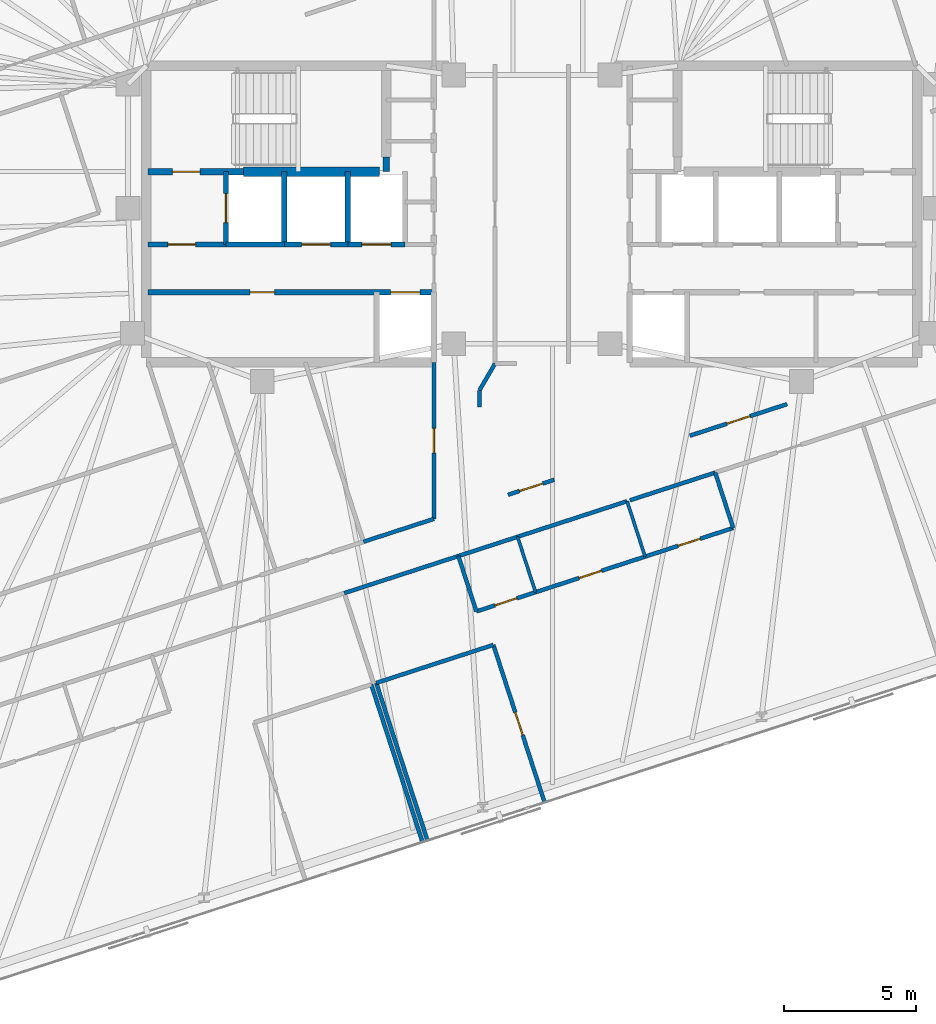
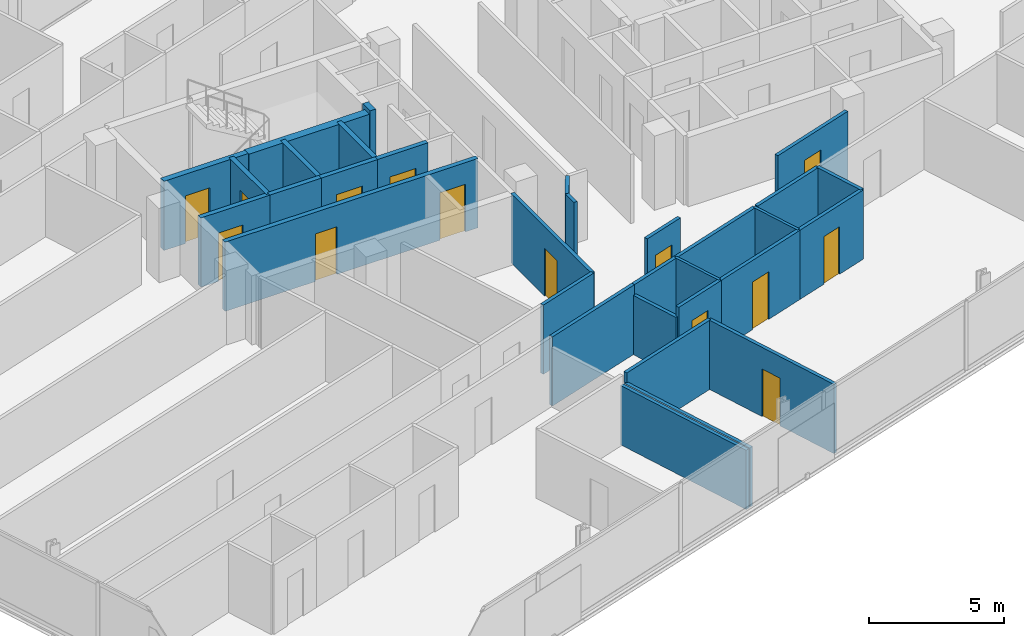
# One storey, part 14 of 20: 32 walls, 14 doors, 14 openings.
"""IFC4 building model written with IfcOpenShell, lengths in metres."""

from ifc_helpers import new_model, si_unit, direction, frame, frame_2d, origin, place, context, subcontext, project, spatial, rectangle, extrude, material, layer, layer_set, type_object, element, fill, save


model = new_model("IFC4")

# Units and contexts
model_context = context("Model", 3, precision=1e-05, world=origin(), true_north=direction((0.0, 1.0)))
body_context = subcontext(model_context, "Body", "Model", "MODEL_VIEW")
ifc_project = project(units=[si_unit("LENGTHUNIT", "METRE"), si_unit("AREAUNIT", "SQUARE_METRE"), si_unit("VOLUMEUNIT", "CUBIC_METRE"), si_unit("PLANEANGLEUNIT", "RADIAN"), si_unit("MASSUNIT", "GRAM", prefix="KILO")], contexts=[model_context])

# Site, building, storey
site_placement = place(None, origin())
site = spatial("IfcSite", under=ifc_project, at=site_placement, CompositionType="ELEMENT")
building_placement = place(site_placement, origin())
building = spatial("IfcBuilding", under=site, at=building_placement, Name="Menara Jurai Vektor", CompositionType="ELEMENT")
storey_placement = place(building_placement, frame((0.0, 0.0, 237.699951171875)))
storey = spatial("IfcBuildingStorey", under=building, at=storey_placement, Name="L63", CompositionType="ELEMENT", Elevation=237.699951171875)

# Wall, opening, door
ifc_material_1 = material(Name="Concrete C40/50", Category="concrete")
ifc_layer_1 = layer(ifc_material_1, 0.25)
ifc_layer_set_1 = layer_set([ifc_layer_1], Name="Concrete C40/50")
wall_type_1 = type_object("IfcWallType", Name="INT-WALL-CORE-250", PredefinedType="STANDARD", material=ifc_layer_set_1)
wall_1_placement = place(storey_placement, frame((-14.5, 1.60009765625, 0.0), z_axis=(0.0, 0.0, 1.0), x_axis=(1.0, 0.0, 0.0)))
wall_1 = element("IfcWall", 1, at=wall_1_placement, inside=storey, type_object=wall_type_1, Name="Interior Wall IW-250 L63", PredefinedType="STANDARD", context=body_context, shape_type="SweptSolid", body=[
    extrude(rectangle(XDim=3.60009765625, YDim=0.25, at=frame_2d((1.800048828125, 0.0))), origin(), (0.0, 0.0, 1.0), 3.125),
])
opening_1_placement = place(wall_1_placement, frame((0.919921875, 0.0, 0.0)))
opening_1 = element("IfcOpeningElement", 2, at=opening_1_placement, cuts=wall_1, Name="Opening D-L63-ST1", PredefinedType="OPENING", context=body_context, shape_type="SweptSolid", body=[
    extrude(rectangle(XDim=1.050048828125, YDim=2.14990234375, at=frame_2d((0.52490234375, 1.074951171875))), frame((0.0, 0.135009765625, 0.0), z_axis=(0.0, -1.0, 0.0), x_axis=(1.0, 0.0, 0.0)), (0.0, 0.0, 1.0), 0.27001953125),
])
ifc_material_2 = material(Name="Fire-Rated Steel Door", Category="steel")
door_type_1 = type_object("IfcDoorType", Name="DR-STAIR-1050", OperationType="NOTDEFINED", PredefinedType="DOOR", material=ifc_material_2)
door_1_placement = place(opening_1_placement, origin())
door_1 = element("IfcDoor", 3, at=door_1_placement, inside=storey, type_object=door_type_1, Name="Exit Stair ST1 Door L63", OperationType="SINGLE_SWING_RIGHT", OverallHeight=2.14990234375, OverallWidth=1.050048828125, PredefinedType="DOOR", context=body_context, shape_type="SweptSolid", body=[
    extrude(rectangle(XDim=1.050048828125, YDim=2.14990234375, at=frame_2d((0.52490234375, 1.074951171875))), frame((0.0, 0.02490234375, 0.0), z_axis=(0.0, -1.0, 0.0), x_axis=(1.0, 0.0, 0.0)), (0.0, 0.0, 1.0), 0.050048828125),
])
fill(opening_1, door_1)

# Wall
wall_2_placement = place(storey_placement, frame((-5.5, 1.60009765625, 0.0), z_axis=(0.0, 0.0, 1.0), x_axis=(0.0, 1.0, 0.0)))
element("IfcWall", 4, at=wall_2_placement, inside=storey, type_object=wall_type_1, Name="Interior Wall IW-250 L63", PredefinedType="STANDARD", context=body_context, shape_type="SweptSolid", body=[
    extrude(rectangle(XDim=0.5498046875, YDim=0.25, at=frame_2d((0.27490234375, 0.0))), origin(), (0.0, 0.0, 1.0), 3.125),
])

# Wall, opening, door
wall_3_placement = place(storey_placement, frame((-11.550048828125, -1.14990234375, 0.0), z_axis=(0.0, 0.0, 1.0), x_axis=(0.0, 1.0, 0.0)))
wall_3 = element("IfcWall", 5, at=wall_3_placement, inside=storey, type_object=wall_type_1, Name="Interior Wall IW-250 L63", PredefinedType="STANDARD", context=body_context, shape_type="SweptSolid", body=[
    extrude(rectangle(XDim=2.75, YDim=0.199951171875, at=frame_2d((1.375, 0.0))), origin(), (0.0, 0.0, 1.0), 3.125),
])
opening_2_placement = place(wall_3_placement, frame((0.824951171875, 0.0, 0.0)))
opening_2 = element("IfcOpeningElement", 6, at=opening_2_placement, cuts=wall_3, Name="Opening LD-L63-FL1", PredefinedType="OPENING", context=body_context, shape_type="SweptSolid", body=[
    extrude(rectangle(XDim=1.10009765625, YDim=2.14990234375, at=frame_2d((0.550048828125, 1.074951171875))), frame((0.0, 0.10986328125, 0.0), z_axis=(0.0, -1.0, 0.0), x_axis=(1.0, 0.0, 0.0)), (0.0, 0.0, 1.0), 0.219970703125),
])
ifc_material_3 = material(Name="Stainless Steel Sliding Lift Landing Door", Category="steel")
door_type_2 = type_object("IfcDoorType", Name="DR-LIFT-FIRE-1100", OperationType="NOTDEFINED", PredefinedType="DOOR", material=ifc_material_3)
door_2_placement = place(opening_2_placement, origin())
door_2 = element("IfcDoor", 7, at=door_2_placement, inside=storey, type_object=door_type_2, Name="Lift Landing Door FL1 L63", OperationType="SLIDING_TO_RIGHT", OverallHeight=2.14990234375, OverallWidth=1.10009765625, PredefinedType="DOOR", context=body_context, shape_type="SweptSolid", body=[
    extrude(rectangle(XDim=1.10009765625, YDim=2.14990234375, at=frame_2d((0.550048828125, 1.074951171875))), frame((0.0, 0.02490234375, 0.0), z_axis=(0.0, -1.0, 0.0), x_axis=(1.0, 0.0, 0.0)), (0.0, 0.0, 1.0), 0.050048828125),
])
fill(opening_2, door_2)

# Wall
wall_4_placement = place(storey_placement, frame((-9.35009765625, -1.14990234375, 0.0), z_axis=(0.0, 0.0, 1.0), x_axis=(0.0, 1.0, 0.0)))
element("IfcWall", 8, at=wall_4_placement, inside=storey, type_object=wall_type_1, Name="Interior Wall IW-250 L63", PredefinedType="STANDARD", context=body_context, shape_type="SweptSolid", body=[
    extrude(rectangle(XDim=2.75, YDim=0.199951171875, at=frame_2d((1.375, 0.0))), origin(), (0.0, 0.0, 1.0), 3.125),
])

# Wall, opening, door
wall_5_placement = place(storey_placement, frame((-14.5, -1.14990234375, 0.0), z_axis=(0.0, 0.0, 1.0), x_axis=(1.0, 0.0, 0.0)))
wall_5 = element("IfcWall", 9, at=wall_5_placement, inside=storey, type_object=wall_type_1, Name="Interior Wall IW-250 L63", PredefinedType="STANDARD", context=body_context, shape_type="SweptSolid", body=[
    extrude(rectangle(XDim=2.949951171875, YDim=0.199951171875, at=frame_2d((1.47509765625, 0.0))), origin(), (0.0, 0.0, 1.0), 3.125),
])
opening_3_placement = place(wall_5_placement, frame((0.75, 0.0, 0.0)))
opening_3 = element("IfcOpeningElement", 10, at=opening_3_placement, cuts=wall_5, Name="Opening D-L63-FFW", PredefinedType="OPENING", context=body_context, shape_type="SweptSolid", body=[
    extrude(rectangle(XDim=1.050048828125, YDim=2.179931640625, at=frame_2d((0.52490234375, 1.08984375))), frame((0.0, 0.10986328125, 0.0), z_axis=(0.0, -1.0, 0.0), x_axis=(1.0, 0.0, 0.0)), (0.0, 0.0, 1.0), 0.219970703125),
])
ifc_material_4 = material(Name="Fire-Rated Timber Door", Category="wood")
door_type_3 = type_object("IfcDoorType", Name="DR-LOBBY-1050", OperationType="NOTDEFINED", PredefinedType="DOOR", material=ifc_material_4)
door_3_placement = place(opening_3_placement, origin())
door_3 = element("IfcDoor", 11, at=door_3_placement, inside=storey, type_object=door_type_3, Name="Fire Lift Lobby Door W L63", OperationType="SINGLE_SWING_RIGHT", OverallHeight=2.179931640625, OverallWidth=1.050048828125, PredefinedType="DOOR", context=body_context, shape_type="SweptSolid", body=[
    extrude(rectangle(XDim=1.050048828125, YDim=2.179931640625, at=frame_2d((0.52490234375, 1.08984375))), frame((0.0, 0.02490234375, 0.0), z_axis=(0.0, -1.0, 0.0), x_axis=(1.0, 0.0, 0.0)), (0.0, 0.0, 1.0), 0.050048828125),
])
fill(opening_3, door_3)

# Walls
wall_6_placement = place(storey_placement, frame((-11.550048828125, -1.14990234375, 0.0), z_axis=(0.0, 0.0, 1.0), x_axis=(1.0, 0.0, 0.0)))
element("IfcWall", 12, at=wall_6_placement, inside=storey, type_object=wall_type_1, Name="Interior Wall IW-250 L63", PredefinedType="STANDARD", context=body_context, shape_type="SweptSolid", body=[
    extrude(rectangle(XDim=2.199951171875, YDim=0.199951171875, at=frame_2d((1.10009765625, 0.0))), origin(), (0.0, 0.0, 1.0), 3.125),
])
ifc_material_5 = material(Name="Gypsum Fireboard Partition", Category="gypsum")
ifc_layer_2 = layer(ifc_material_5, 0.14990234375)
ifc_layer_set_2 = layer_set([ifc_layer_2], Name="Gypsum Fireboard Partition")
wall_type_2 = type_object("IfcWallType", Name="INT-WALL-CORR-150", PredefinedType="PARTITIONING", material=ifc_layer_set_2)
wall_7_placement = place(storey_placement, frame((-7.083251953125, -14.31640625, 0.0), z_axis=(0.0, 0.0, 1.0), x_axis=(0.951054265246, 0.309023922305, 0.0)))
element("IfcWall", 13, at=wall_7_placement, inside=storey, type_object=wall_type_2, Name="Interior Wall IW-150 L63", PredefinedType="PARTITIONING", context=body_context, shape_type="SweptSolid", body=[
    extrude(rectangle(XDim=4.530029296875, YDim=0.14990234375, at=frame_2d((2.26513671875, 0.0))), origin(), (0.0, 0.0, 1.0), 3.125),
])
wall_8_placement = place(storey_placement, frame((-2.77490234375, -12.91650390625, 0.0), z_axis=(0.0, 0.0, 1.0), x_axis=(0.951066131077, 0.308987401554, 0.0)))
element("IfcWall", 14, at=wall_8_placement, inside=storey, type_object=wall_type_2, Name="Interior Wall IW-150 L63", PredefinedType="PARTITIONING", context=body_context, shape_type="SweptSolid", body=[
    extrude(rectangle(XDim=2.349853515625, YDim=0.14990234375, at=frame_2d((1.1748046875, 0.0))), origin(), (0.0, 0.0, 1.0), 3.125),
])
wall_9_placement = place(storey_placement, frame((-0.5400390625, -12.1904296875, 0.0), z_axis=(0.0, 0.0, 1.0), x_axis=(0.951057987102, 0.309012467661, 0.0)))
element("IfcWall", 15, at=wall_9_placement, inside=storey, type_object=wall_type_2, Name="Interior Wall IW-150 L63", PredefinedType="PARTITIONING", context=body_context, shape_type="SweptSolid", body=[
    extrude(rectangle(XDim=4.35009765625, YDim=0.14990234375, at=frame_2d((2.175048828125, 0.0))), origin(), (0.0, 0.0, 1.0), 3.125),
])
wall_10_placement = place(storey_placement, frame((3.69970703125, -10.812744140625, 0.0), z_axis=(0.0, 0.0, 1.0), x_axis=(0.95106685659, 0.308985168408, 0.0)))
element("IfcWall", 16, at=wall_10_placement, inside=storey, type_object=wall_type_2, Name="Interior Wall IW-150 L63", PredefinedType="PARTITIONING", context=body_context, shape_type="SweptSolid", body=[
    extrude(rectangle(XDim=3.39208984375, YDim=0.14990234375, at=frame_2d((1.696044921875, 0.0))), origin(), (0.0, 0.0, 1.0), 3.125),
])

# Wall, opening, door
wall_11_placement = place(storey_placement, frame((5.96875, -8.372314453125, 0.0), z_axis=(0.0, 0.0, 1.0), x_axis=(0.951053123415, 0.309027436391, 0.0)))
wall_11 = element("IfcWall", 17, at=wall_11_placement, inside=storey, type_object=wall_type_2, Name="Interior Wall IW-150 L63", PredefinedType="PARTITIONING", context=body_context, shape_type="SweptSolid", body=[
    extrude(rectangle(XDim=3.860107421875, YDim=0.14990234375, at=frame_2d((1.93017578125, 0.0))), origin(), (0.0, 0.0, 1.0), 3.125),
])
opening_4_placement = place(wall_11_placement, frame((1.469970703125, 0.0, 0.0)))
opening_4 = element("IfcOpeningElement", 18, at=opening_4_placement, cuts=wall_11, Name="Opening D63-44", PredefinedType="OPENING", context=body_context, shape_type="SweptSolid", body=[
    extrude(rectangle(XDim=0.919921875, YDim=2.14990234375, at=frame_2d((0.4599609375, 1.074951171875))), frame((0.0, 0.0849609375, 0.0), z_axis=(0.0, -1.0, 0.0), x_axis=(1.0, 0.0, 0.0)), (0.0, 0.0, 1.0), 0.169921875),
])
ifc_material_6 = material(Name="Solid Core Timber Fire Door", Category="wood")
door_type_4 = type_object("IfcDoorType", Name="DR-ENTRY-950", OperationType="NOTDEFINED", PredefinedType="DOOR", material=ifc_material_6)
door_4_placement = place(opening_4_placement, origin())
door_4 = element("IfcDoor", 19, at=door_4_placement, inside=storey, type_object=door_type_4, Name="Interior Door D63-44", OperationType="SINGLE_SWING_RIGHT", OverallHeight=2.14990234375, OverallWidth=0.919921875, PredefinedType="DOOR", context=body_context, shape_type="SweptSolid", body=[
    extrude(rectangle(XDim=0.919921875, YDim=2.14990234375, at=frame_2d((0.4599609375, 1.074951171875))), frame((0.0, 0.02490234375, 0.0), z_axis=(0.0, -1.0, 0.0), x_axis=(1.0, 0.0, 0.0)), (0.0, 0.0, 1.0), 0.050048828125),
])
fill(opening_4, door_4)

wall_12_placement = place(storey_placement, frame((-0.90087890625, -10.604248046875, 0.0), z_axis=(0.0, 0.0, 1.0), x_axis=(0.951085784807, 0.308926900637, 0.0)))
wall_12 = element("IfcWall", 20, at=wall_12_placement, inside=storey, type_object=wall_type_2, Name="Interior Wall IW-150 L63", PredefinedType="PARTITIONING", context=body_context, shape_type="SweptSolid", body=[
    extrude(rectangle(XDim=1.838134765625, YDim=0.14990234375, at=frame_2d((0.9189453125, 0.0))), origin(), (0.0, 0.0, 1.0), 3.125),
])
opening_5_placement = place(wall_12_placement, frame((0.458984375, 0.0, 0.0)))
opening_5 = element("IfcOpeningElement", 21, at=opening_5_placement, cuts=wall_12, Name="Opening D63-45", PredefinedType="OPENING", context=body_context, shape_type="SweptSolid", body=[
    extrude(rectangle(XDim=0.919921875, YDim=2.14990234375, at=frame_2d((0.4599609375, 1.074951171875))), frame((0.0, 0.0849609375, 0.0), z_axis=(0.0, -1.0, 0.0), x_axis=(1.0, 0.0, 0.0)), (0.0, 0.0, 1.0), 0.169921875),
])
door_5_placement = place(opening_5_placement, origin())
door_5 = element("IfcDoor", 22, at=door_5_placement, inside=storey, type_object=door_type_4, Name="Interior Door D63-45", OperationType="SINGLE_SWING_LEFT", OverallHeight=2.14990234375, OverallWidth=0.919921875, PredefinedType="DOOR", context=body_context, shape_type="SweptSolid", body=[
    extrude(rectangle(XDim=0.919921875, YDim=2.14990234375, at=frame_2d((0.4599609375, 1.074951171875))), frame((0.0, 0.02490234375, 0.0), z_axis=(0.0, -1.0, 0.0), x_axis=(1.0, 0.0, 0.0)), (0.0, 0.0, 1.0), 0.050048828125),
])
fill(opening_5, door_5)

# Walls
wall_13_placement = place(storey_placement, frame((-1.98046875, -7.28125, 0.0), z_axis=(0.0, 0.0, 1.0), x_axis=(0.000784313484, 0.999999692426, 0.0)))
element("IfcWall", 23, at=wall_13_placement, inside=storey, type_object=wall_type_2, Name="Interior Wall IW-150 L63", PredefinedType="PARTITIONING", context=body_context, shape_type="SweptSolid", body=[
    extrude(rectangle(XDim=0.62255859375, YDim=0.14990234375, at=frame_2d((0.311279296875, 0.0))), origin(), (0.0, 0.0, 1.0), 3.125),
])
wall_14_placement = place(storey_placement, frame((-1.97998046875, -6.65869140625, 0.0), z_axis=(0.0, 0.0, 1.0), x_axis=(0.504533622976, 0.863392044952, 0.0)))
element("IfcWall", 24, at=wall_14_placement, inside=storey, type_object=wall_type_2, Name="Interior Wall IW-150 L63", PredefinedType="PARTITIONING", context=body_context, shape_type="SweptSolid", body=[
    extrude(rectangle(XDim=1.168212890625, YDim=0.14990234375, at=frame_2d((0.583984375, 0.0))), origin(), (0.0, 0.0, 1.0), 3.125),
])
wall_15_placement = place(storey_placement, frame((-6.35791015625, -12.37744140625, 0.0), z_axis=(0.0, 0.0, 1.0), x_axis=(0.951049473261, 0.309038669765, 0.0)))
element("IfcWall", 25, at=wall_15_placement, inside=storey, type_object=wall_type_2, Name="Interior Wall IW-150 L63", PredefinedType="PARTITIONING", context=body_context, shape_type="SweptSolid", body=[
    extrude(rectangle(XDim=2.794921875, YDim=0.14990234375, at=frame_2d((1.3974609375, 0.0))), origin(), (0.0, 0.0, 1.0), 3.125),
])

# Wall, opening, door
wall_16_placement = place(storey_placement, frame((-3.69970703125, -11.513671875, 0.0), z_axis=(0.0, 0.0, 1.0), x_axis=(-8.2572974e-05, 0.999999996591, 0.0)))
wall_16 = element("IfcWall", 26, at=wall_16_placement, inside=storey, type_object=wall_type_2, Name="Interior Wall IW-150 L63", PredefinedType="PARTITIONING", context=body_context, shape_type="SweptSolid", body=[
    extrude(rectangle(XDim=5.913330078125, YDim=0.14990234375, at=frame_2d((2.95654296875, 0.0))), origin(), (0.0, 0.0, 1.0), 3.125),
])
opening_6_placement = place(wall_16_placement, frame((2.49658203125, 0.0, 0.0)))
opening_6 = element("IfcOpeningElement", 27, at=opening_6_placement, cuts=wall_16, Name="Opening D63-48", PredefinedType="OPENING", context=body_context, shape_type="SweptSolid", body=[
    extrude(rectangle(XDim=0.919921875, YDim=2.14990234375, at=frame_2d((0.4599609375, 1.074951171875))), frame((0.0, 0.0849609375, 0.0), z_axis=(0.0, -1.0, 0.0), x_axis=(1.0, 0.0, 0.0)), (0.0, 0.0, 1.0), 0.169921875),
])
door_6_placement = place(opening_6_placement, origin())
door_6 = element("IfcDoor", 28, at=door_6_placement, inside=storey, type_object=door_type_4, Name="Interior Door D63-48", OperationType="SINGLE_SWING_RIGHT", OverallHeight=2.14990234375, OverallWidth=0.919921875, PredefinedType="DOOR", context=body_context, shape_type="SweptSolid", body=[
    extrude(rectangle(XDim=0.919921875, YDim=2.14990234375, at=frame_2d((0.4599609375, 1.074951171875))), frame((0.0, 0.02490234375, 0.0), z_axis=(0.0, -1.0, 0.0), x_axis=(1.0, 0.0, 0.0)), (0.0, 0.0, 1.0), 0.050048828125),
])
fill(opening_6, door_6)

wall_17_placement = place(storey_placement, frame((-2.09521484375, -15.0087890625, 0.0), z_axis=(0.0, 0.0, 1.0), x_axis=(0.951076048914, 0.308956872689, 0.0)))
wall_17 = element("IfcWall", 29, at=wall_17_placement, inside=storey, type_object=wall_type_2, Name="Interior Wall IW-150 L63", PredefinedType="PARTITIONING", context=body_context, shape_type="SweptSolid", body=[
    extrude(rectangle(XDim=2.35009765625, YDim=0.14990234375, at=frame_2d((1.175048828125, 0.0))), origin(), (0.0, 0.0, 1.0), 3.125),
])
opening_7_placement = place(wall_17_placement, frame((0.735107421875, 0.0, 0.0)))
opening_7 = element("IfcOpeningElement", 30, at=opening_7_placement, cuts=wall_17, Name="Opening D63-31", PredefinedType="OPENING", context=body_context, shape_type="SweptSolid", body=[
    extrude(rectangle(XDim=0.8798828125, YDim=2.14990234375, at=frame_2d((0.43994140625, 1.074951171875))), frame((0.0, 0.0849609375, 0.0), z_axis=(0.0, -1.0, 0.0), x_axis=(1.0, 0.0, 0.0)), (0.0, 0.0, 1.0), 0.169921875),
])
ifc_material_7 = material(Name="Moisture-Resistant Timber Door", Category="wood")
door_type_5 = type_object("IfcDoorType", Name="DR-BATH-880", OperationType="NOTDEFINED", PredefinedType="DOOR", material=ifc_material_7)
door_7_placement = place(opening_7_placement, origin())
door_7 = element("IfcDoor", 31, at=door_7_placement, inside=storey, type_object=door_type_5, Name="Interior Door D63-31", OperationType="SINGLE_SWING_LEFT", OverallHeight=2.14990234375, OverallWidth=0.8798828125, PredefinedType="DOOR", context=body_context, shape_type="SweptSolid", body=[
    extrude(rectangle(XDim=0.8798828125, YDim=2.14990234375, at=frame_2d((0.43994140625, 1.074951171875))), frame((0.0, 0.02490234375, 0.0), z_axis=(0.0, -1.0, 0.0), x_axis=(1.0, 0.0, 0.0)), (0.0, 0.0, 1.0), 0.050048828125),
])
fill(opening_7, door_7)

wall_18_placement = place(storey_placement, frame((0.139892578125, -14.28271484375, 0.0), z_axis=(0.0, 0.0, 1.0), x_axis=(0.951057987102, 0.309012467661, 0.0)))
wall_18 = element("IfcWall", 32, at=wall_18_placement, inside=storey, type_object=wall_type_2, Name="Interior Wall IW-150 L63", PredefinedType="PARTITIONING", context=body_context, shape_type="SweptSolid", body=[
    extrude(rectangle(XDim=4.35009765625, YDim=0.14990234375, at=frame_2d((2.175048828125, 0.0))), origin(), (0.0, 0.0, 1.0), 3.125),
])
opening_8_placement = place(wall_18_placement, frame((1.72509765625, 0.0, 0.0)))
opening_8 = element("IfcOpeningElement", 33, at=opening_8_placement, cuts=wall_18, Name="Opening D63-32", PredefinedType="OPENING", context=body_context, shape_type="SweptSolid", body=[
    extrude(rectangle(XDim=0.89990234375, YDim=2.14990234375, at=frame_2d((0.449951171875, 1.074951171875))), frame((0.0, 0.0849609375, 0.0), z_axis=(0.0, -1.0, 0.0), x_axis=(1.0, 0.0, 0.0)), (0.0, 0.0, 1.0), 0.169921875),
])
ifc_material_8 = material(Name="Acoustic Timber Interior Door", Category="wood")
door_type_6 = type_object("IfcDoorType", Name="DR-ROOM-900", OperationType="NOTDEFINED", PredefinedType="DOOR", material=ifc_material_8)
door_8_placement = place(opening_8_placement, origin())
door_8 = element("IfcDoor", 34, at=door_8_placement, inside=storey, type_object=door_type_6, Name="Interior Door D63-32", OperationType="SINGLE_SWING_RIGHT", OverallHeight=2.14990234375, OverallWidth=0.89990234375, PredefinedType="DOOR", context=body_context, shape_type="SweptSolid", body=[
    extrude(rectangle(XDim=0.89990234375, YDim=2.14990234375, at=frame_2d((0.449951171875, 1.074951171875))), frame((0.0, 0.02490234375, 0.0), z_axis=(0.0, -1.0, 0.0), x_axis=(1.0, 0.0, 0.0)), (0.0, 0.0, 1.0), 0.050048828125),
])
fill(opening_8, door_8)

wall_19_placement = place(storey_placement, frame((4.277099609375, -12.9384765625, 0.0), z_axis=(0.0, 0.0, 1.0), x_axis=(0.951055596592, 0.309019824916, 0.0)))
wall_19 = element("IfcWall", 35, at=wall_19_placement, inside=storey, type_object=wall_type_2, Name="Interior Wall IW-150 L63", PredefinedType="PARTITIONING", context=body_context, shape_type="SweptSolid", body=[
    extrude(rectangle(XDim=3.5, YDim=0.14990234375, at=frame_2d((1.75, 0.0))), origin(), (0.0, 0.0, 1.0), 3.125),
])
opening_9_placement = place(wall_19_placement, frame((1.31005859375, 0.0, 0.0)))
opening_9 = element("IfcOpeningElement", 36, at=opening_9_placement, cuts=wall_19, Name="Opening D63-33", PredefinedType="OPENING", context=body_context, shape_type="SweptSolid", body=[
    extrude(rectangle(XDim=0.8798828125, YDim=2.14990234375, at=frame_2d((0.43994140625, 1.074951171875))), frame((0.0, 0.0849609375, 0.0), z_axis=(0.0, -1.0, 0.0), x_axis=(1.0, 0.0, 0.0)), (0.0, 0.0, 1.0), 0.169921875),
])
door_9_placement = place(opening_9_placement, origin())
door_9 = element("IfcDoor", 37, at=door_9_placement, inside=storey, type_object=door_type_5, Name="Interior Door D63-33", OperationType="SINGLE_SWING_LEFT", OverallHeight=2.14990234375, OverallWidth=0.8798828125, PredefinedType="DOOR", context=body_context, shape_type="SweptSolid", body=[
    extrude(rectangle(XDim=0.8798828125, YDim=2.14990234375, at=frame_2d((0.43994140625, 1.074951171875))), frame((0.0, 0.02490234375, 0.0), z_axis=(0.0, -1.0, 0.0), x_axis=(1.0, 0.0, 0.0)), (0.0, 0.0, 1.0), 0.050048828125),
])
fill(opening_9, door_9)

# Walls
wall_20_placement = place(storey_placement, frame((7.605712890625, -11.85693359375, 0.0), z_axis=(0.0, 0.0, 1.0), x_axis=(-0.309060979314, 0.951042223598, 0.0)))
element("IfcWall", 38, at=wall_20_placement, inside=storey, type_object=wall_type_2, Name="Interior Wall IW-150 L63", PredefinedType="PARTITIONING", context=body_context, shape_type="SweptSolid", body=[
    extrude(rectangle(XDim=2.199951171875, YDim=0.14990234375, at=frame_2d((1.10009765625, 0.0))), origin(), (0.0, 0.0, 1.0), 3.125),
])
wall_21_placement = place(storey_placement, frame((-5.875732421875, -17.709228515625, 0.0), z_axis=(0.0, 0.0, 1.0), x_axis=(0.951065702951, 0.308988719326, 0.0)))
element("IfcWall", 39, at=wall_21_placement, inside=storey, type_object=wall_type_2, Name="Interior Wall IW-150 L63", PredefinedType="PARTITIONING", context=body_context, shape_type="SweptSolid", body=[
    extrude(rectangle(XDim=4.64990234375, YDim=0.14990234375, at=frame_2d((2.324951171875, 0.0))), origin(), (0.0, 0.0, 1.0), 3.125),
])

# Wall, opening, door
wall_22_placement = place(storey_placement, frame((0.481689453125, -22.227783203125, 0.0), z_axis=(0.0, 0.0, 1.0), x_axis=(-0.30902524124, 0.951053836687, 0.0)))
wall_22 = element("IfcWall", 40, at=wall_22_placement, inside=storey, type_object=wall_type_2, Name="Interior Wall IW-150 L63", PredefinedType="PARTITIONING", context=body_context, shape_type="SweptSolid", body=[
    extrude(rectangle(XDim=6.26171875, YDim=0.14990234375, at=frame_2d((3.130859375, 0.0))), origin(), (0.0, 0.0, 1.0), 3.125),
])
opening_10_placement = place(wall_22_placement, frame((2.680908203125, 0.0, 0.0)))
opening_10 = element("IfcOpeningElement", 41, at=opening_10_placement, cuts=wall_22, Name="Opening D63-34", PredefinedType="OPENING", context=body_context, shape_type="SweptSolid", body=[
    extrude(rectangle(XDim=0.89990234375, YDim=2.14990234375, at=frame_2d((0.449951171875, 1.074951171875))), frame((0.0, 0.0849609375, 0.0), z_axis=(0.0, -1.0, 0.0), x_axis=(1.0, 0.0, 0.0)), (0.0, 0.0, 1.0), 0.169921875),
])
door_10_placement = place(opening_10_placement, origin())
door_10 = element("IfcDoor", 42, at=door_10_placement, inside=storey, type_object=door_type_6, Name="Interior Door D63-34", OperationType="SINGLE_SWING_RIGHT", OverallHeight=2.14990234375, OverallWidth=0.89990234375, PredefinedType="DOOR", context=body_context, shape_type="SweptSolid", body=[
    extrude(rectangle(XDim=0.89990234375, YDim=2.14990234375, at=frame_2d((0.449951171875, 1.074951171875))), frame((0.0, 0.02490234375, 0.0), z_axis=(0.0, -1.0, 0.0), x_axis=(1.0, 0.0, 0.0)), (0.0, 0.0, 1.0), 0.050048828125),
])
fill(opening_10, door_10)

# Walls
ifc_layer_3 = layer(ifc_material_5, 0.14990234375)
ifc_layer_set_3 = layer_set([ifc_layer_3], Name="Gypsum Fireboard Partition")
wall_type_3 = type_object("IfcWallType", Name="INT-WALL-CORR-150-H1", PredefinedType="PARTITIONING", material=ifc_layer_set_3)
wall_23_placement = place(storey_placement, frame((-4.130859375, -23.7265625, 0.0), z_axis=(0.0, 0.0, 1.0), x_axis=(-0.309013782848, 0.951057559777, 0.0)))
element("IfcWall", 43, at=wall_23_placement, inside=storey, type_object=wall_type_3, Name="Interior Wall IW-150 L63", PredefinedType="PARTITIONING", context=body_context, shape_type="SweptSolid", body=[
    extrude(rectangle(XDim=6.261962890625, YDim=0.14990234375, at=frame_2d((3.130859375, 0.0))), origin(), (0.0, 0.0, 1.0), 2.675048828125),
])
wall_24_placement = place(storey_placement, frame((-2.09521484375, -15.0087890625, 0.0), z_axis=(0.0, 0.0, 1.0), x_axis=(-0.308960600764, 0.951074837842, 0.0)))
element("IfcWall", 44, at=wall_24_placement, inside=storey, type_object=wall_type_3, Name="Interior Wall IW-150 L63", PredefinedType="PARTITIONING", context=body_context, shape_type="SweptSolid", body=[
    extrude(rectangle(XDim=2.199951171875, YDim=0.14990234375, at=frame_2d((1.10009765625, 0.0))), origin(), (0.0, 0.0, 1.0), 2.675048828125),
])
wall_25_placement = place(storey_placement, frame((-3.940673828125, -23.664794921875, 0.0), z_axis=(0.0, 0.0, 1.0), x_axis=(-0.309013782848, 0.951057559777, 0.0)))
element("IfcWall", 45, at=wall_25_placement, inside=storey, type_object=wall_type_3, Name="Interior Wall IW-150 L63", PredefinedType="PARTITIONING", context=body_context, shape_type="SweptSolid", body=[
    extrude(rectangle(XDim=6.261962890625, YDim=0.14990234375, at=frame_2d((3.130859375, 0.0))), origin(), (0.0, 0.0, 1.0), 2.675048828125),
])
ifc_material_9 = material(Name="Gypsum Acoustic Stud Partition", Category="gypsum")
ifc_layer_4 = layer(ifc_material_9, 0.1201171875)
ifc_layer_set_4 = layer_set([ifc_layer_4], Name="Gypsum Acoustic Stud Partition")
wall_type_4 = type_object("IfcWallType", Name="INT-WALL-PART-120", PredefinedType="PARTITIONING", material=ifc_layer_set_4)
for number, where, z_axis, x_axis, name in (
    (46, (0.139892578125, -14.28271484375, 0.0), (0.0, 0.0, 1.0), (-0.309060979314, 0.951042223598, 0.0), "Interior Wall IW-120 L63"),
    (47, (4.277099609375, -12.9384765625, 0.0), (0.0, 0.0, 1.0), (-0.309060979314, 0.951042223598, 0.0), "Interior Wall IW-120 L63"),
):
    element("IfcWall", number, at=place(storey_placement, frame(where, z_axis=z_axis, x_axis=x_axis)), inside=storey, type_object=wall_type_4, Name=name, PredefinedType="PARTITIONING", context=body_context, shape_type="SweptSolid", body=[
        extrude(rectangle(XDim=2.199951171875, YDim=0.1201171875, at=frame_2d((1.10009765625, 0.0))), origin(), (0.0, 0.0, 1.0), 3.125),
    ])
ifc_layer_5 = layer(ifc_material_1, 0.199951171875)
ifc_layer_set_5 = layer_set([ifc_layer_5], Name="Concrete C40/50")
wall_type_5 = type_object("IfcWallType", Name="INT-WALL-SHAFT-200", PredefinedType="STANDARD", material=ifc_layer_set_5)
wall_26_placement = place(storey_placement, frame((-6.949951171875, -1.14990234375, 0.0), z_axis=(0.0, 0.0, 1.0), x_axis=(0.0, 1.0, 0.0)))
element("IfcWall", 48, at=wall_26_placement, inside=storey, type_object=wall_type_5, Name="Interior Wall IW-200 L63", PredefinedType="STANDARD", context=body_context, shape_type="SweptSolid", body=[
    extrude(rectangle(XDim=2.75, YDim=0.199951171875, at=frame_2d((1.375, 0.0))), origin(), (0.0, 0.0, 1.0), 3.125),
])

# Wall, opening, door
wall_27_placement = place(storey_placement, frame((-9.35009765625, -1.14990234375, 0.0), z_axis=(0.0, 0.0, 1.0), x_axis=(1.0, 0.0, 0.0)))
wall_27 = element("IfcWall", 49, at=wall_27_placement, inside=storey, type_object=wall_type_5, Name="Interior Wall IW-200 L63", PredefinedType="STANDARD", context=body_context, shape_type="SweptSolid", body=[
    extrude(rectangle(XDim=2.400146484375, YDim=0.199951171875, at=frame_2d((1.2001953125, 0.0))), origin(), (0.0, 0.0, 1.0), 3.125),
])
opening_11_placement = place(wall_27_placement, frame((0.64990234375, 0.0, 0.0)))
opening_11 = element("IfcOpeningElement", 50, at=opening_11_placement, cuts=wall_27, Name="Opening LD-L63-SVL1", PredefinedType="OPENING", context=body_context, shape_type="SweptSolid", body=[
    extrude(rectangle(XDim=1.10009765625, YDim=2.14990234375, at=frame_2d((0.550048828125, 1.074951171875))), frame((0.0, 0.10986328125, 0.0), z_axis=(0.0, -1.0, 0.0), x_axis=(1.0, 0.0, 0.0)), (0.0, 0.0, 1.0), 0.219970703125),
])
ifc_material_10 = material(Name="Anodised Stainless Sliding Lift Landing Door", Category="steel")
door_type_7 = type_object("IfcDoorType", Name="DR-LIFT-PASS-1100", OperationType="NOTDEFINED", PredefinedType="DOOR", material=ifc_material_10)
door_11_placement = place(opening_11_placement, origin())
door_11 = element("IfcDoor", 51, at=door_11_placement, inside=storey, type_object=door_type_7, Name="Lift Landing Door SVL1 L63", OperationType="SLIDING_TO_RIGHT", OverallHeight=2.14990234375, OverallWidth=1.10009765625, PredefinedType="DOOR", context=body_context, shape_type="SweptSolid", body=[
    extrude(rectangle(XDim=1.10009765625, YDim=2.14990234375, at=frame_2d((0.550048828125, 1.074951171875))), frame((0.0, 0.02490234375, 0.0), z_axis=(0.0, -1.0, 0.0), x_axis=(1.0, 0.0, 0.0)), (0.0, 0.0, 1.0), 0.050048828125),
])
fill(opening_11, door_11)

wall_28_placement = place(storey_placement, frame((-6.949951171875, -1.14990234375, 0.0), z_axis=(0.0, 0.0, 1.0), x_axis=(1.0, 0.0, 0.0)))
wall_28 = element("IfcWall", 52, at=wall_28_placement, inside=storey, type_object=wall_type_5, Name="Interior Wall IW-200 L63", PredefinedType="STANDARD", context=body_context, shape_type="SweptSolid", body=[
    extrude(rectangle(XDim=2.159912109375, YDim=0.199951171875, at=frame_2d((1.080078125, 0.0))), origin(), (0.0, 0.0, 1.0), 3.125),
])
opening_12_placement = place(wall_28_placement, frame((0.530029296875, 0.0, 0.0)))
opening_12 = element("IfcOpeningElement", 53, at=opening_12_placement, cuts=wall_28, Name="Opening LD-L63-PH2", PredefinedType="OPENING", context=body_context, shape_type="SweptSolid", body=[
    extrude(rectangle(XDim=1.10009765625, YDim=2.14990234375, at=frame_2d((0.550048828125, 1.074951171875))), frame((0.0, 0.10986328125, 0.0), z_axis=(0.0, -1.0, 0.0), x_axis=(1.0, 0.0, 0.0)), (0.0, 0.0, 1.0), 0.219970703125),
])
door_12_placement = place(opening_12_placement, origin())
door_12 = element("IfcDoor", 54, at=door_12_placement, inside=storey, type_object=door_type_7, Name="Lift Landing Door PH2 L63", OperationType="SLIDING_TO_RIGHT", OverallHeight=2.14990234375, OverallWidth=1.10009765625, PredefinedType="DOOR", context=body_context, shape_type="SweptSolid", body=[
    extrude(rectangle(XDim=1.10009765625, YDim=2.14990234375, at=frame_2d((0.550048828125, 1.074951171875))), frame((0.0, 0.02490234375, 0.0), z_axis=(0.0, -1.0, 0.0), x_axis=(1.0, 0.0, 0.0)), (0.0, 0.0, 1.0), 0.050048828125),
])
fill(opening_12, door_12)

# Wall, openings, doors
wall_29_placement = place(storey_placement, frame((-14.5, -2.949951171875, 0.0), z_axis=(0.0, 0.0, 1.0), x_axis=(1.0, 0.0, 0.0)))
wall_29 = element("IfcWall", 55, at=wall_29_placement, inside=storey, type_object=wall_type_5, Name="Interior Wall IW-200 L63", PredefinedType="STANDARD", context=body_context, shape_type="SweptSolid", body=[
    extrude(rectangle(XDim=10.800048828125, YDim=0.199951171875, at=frame_2d((5.39990234375, 0.0))), origin(), (0.0, 0.0, 1.0), 3.125),
])
opening_13_placement = place(wall_29_placement, frame((9.169921875, 0.0, 0.0)))
opening_13 = element("IfcOpeningElement", 56, at=opening_13_placement, cuts=wall_29, Name="Opening LD-L63-PH1", PredefinedType="OPENING", context=body_context, shape_type="SweptSolid", body=[
    extrude(rectangle(XDim=1.10009765625, YDim=2.14990234375, at=frame_2d((0.550048828125, 1.074951171875))), frame((0.0, 0.10986328125, 0.0), z_axis=(0.0, -1.0, 0.0), x_axis=(1.0, 0.0, 0.0)), (0.0, 0.0, 1.0), 0.219970703125),
])
opening_14_placement = place(wall_29_placement, frame((3.860107421875, 0.0, 0.0)))
opening_14 = element("IfcOpeningElement", 57, at=opening_14_placement, cuts=wall_29, Name="Opening D63-01", PredefinedType="OPENING", context=body_context, shape_type="SweptSolid", body=[
    extrude(rectangle(XDim=0.919921875, YDim=2.14990234375, at=frame_2d((0.4599609375, 1.074951171875))), frame((0.0, 0.10986328125, 0.0), z_axis=(0.0, -1.0, 0.0), x_axis=(1.0, 0.0, 0.0)), (0.0, 0.0, 1.0), 0.219970703125),
])
door_13_placement = place(opening_14_placement, origin())
door_13 = element("IfcDoor", 58, at=door_13_placement, inside=storey, type_object=door_type_4, Name="Interior Door D63-01", OperationType="SINGLE_SWING_LEFT", OverallHeight=2.14990234375, OverallWidth=0.919921875, PredefinedType="DOOR", context=body_context, shape_type="SweptSolid", body=[
    extrude(rectangle(XDim=0.919921875, YDim=2.14990234375, at=frame_2d((0.4599609375, 1.074951171875))), frame((0.0, 0.02490234375, 0.0), z_axis=(0.0, -1.0, 0.0), x_axis=(1.0, 0.0, 0.0)), (0.0, 0.0, 1.0), 0.050048828125),
])
fill(opening_14, door_13)
door_14_placement = place(opening_13_placement, origin())
door_14 = element("IfcDoor", 59, at=door_14_placement, inside=storey, type_object=door_type_7, Name="Lift Landing Door PH1 L63", OperationType="SLIDING_TO_RIGHT", OverallHeight=2.14990234375, OverallWidth=1.10009765625, PredefinedType="DOOR", context=body_context, shape_type="SweptSolid", body=[
    extrude(rectangle(XDim=1.10009765625, YDim=2.14990234375, at=frame_2d((0.550048828125, 1.074951171875))), frame((0.0, 0.02490234375, 0.0), z_axis=(0.0, -1.0, 0.0), x_axis=(1.0, 0.0, 0.0)), (0.0, 0.0, 1.0), 0.050048828125),
])
fill(opening_13, door_14)

# Wall
ifc_material_11 = material(Name="Concrete C50/60", Category="concrete")
ifc_layer_6 = layer(ifc_material_11, 0.35009765625)
ifc_layer_set_6 = layer_set([ifc_layer_6], Name="Concrete C50/60")
wall_type_6 = type_object("IfcWallType", Name="STR-WALL-CORE350", PredefinedType="SHEAR", material=ifc_layer_set_6)
wall_30_placement = place(storey_placement, frame((-10.89990234375, 1.60009765625, 0.0), z_axis=(0.0, 0.0, 1.0), x_axis=(1.0, 0.0, 0.0)))
element("IfcWall", 60, at=wall_30_placement, inside=storey, type_object=wall_type_6, Name="Core Shear Wall CW-W-STS L63", PredefinedType="SHEAR", context=body_context, shape_type="SweptSolid", body=[
    extrude(rectangle(XDim=5.14990234375, YDim=0.35009765625, at=frame_2d((2.574951171875, 0.0))), origin(), (0.0, 0.0, 1.0), 3.125),
])

save(model, "model.ifc")
